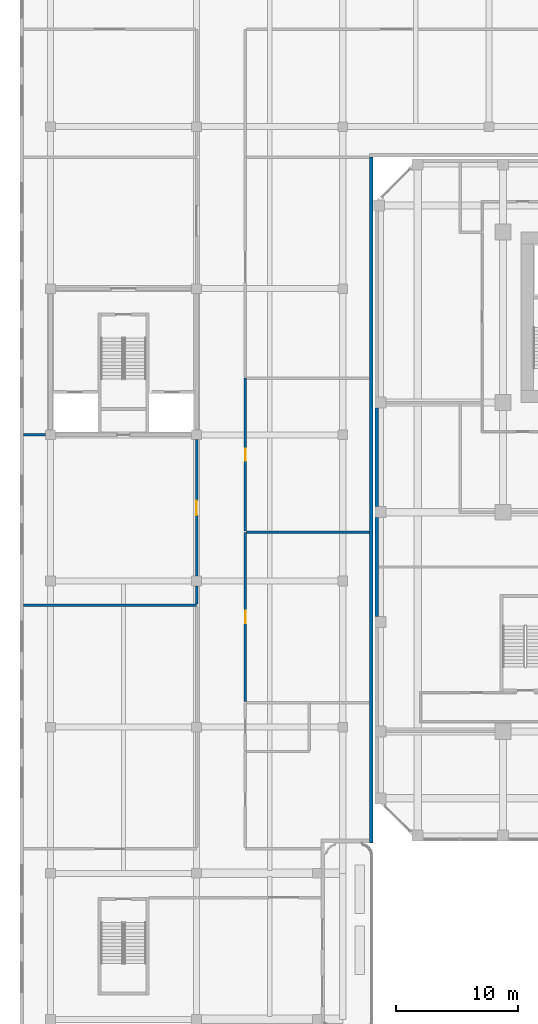
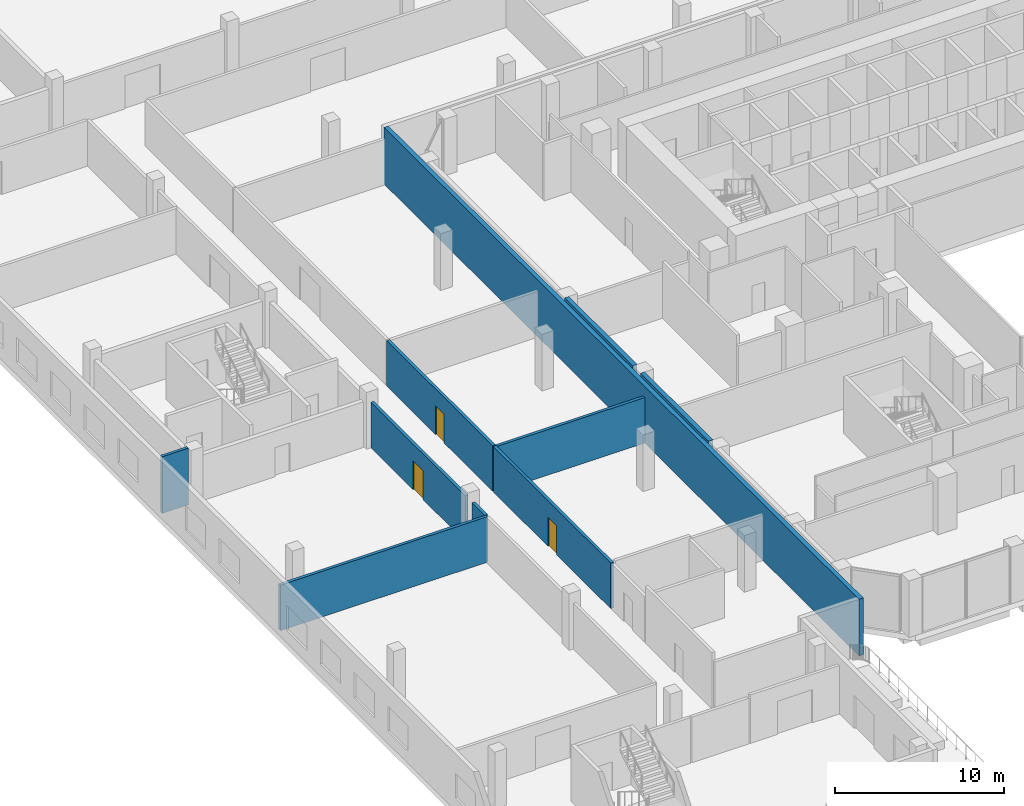
# One storey, part 15 of 35: 10 walls, 3 doors, 3 openings.
"""IFC4 building model written with IfcOpenShell, lengths in metres."""

from ifc_helpers import new_model, si_unit, direction, frame, frame_2d, origin, place, context, subcontext, project, spatial, rectangle, extrude, source, transform, mapped, material, layer, layer_set, type_object, element, fill, save


model = new_model("IFC4")

# Units and contexts
model_context = context("Model", 3, precision=1e-05, world=origin(), true_north=direction((0.0, 1.0)))
body_context = subcontext(model_context, "Body", "Model", "MODEL_VIEW")
ifc_project = project(units=[si_unit("LENGTHUNIT", "METRE"), si_unit("AREAUNIT", "SQUARE_METRE"), si_unit("VOLUMEUNIT", "CUBIC_METRE"), si_unit("PLANEANGLEUNIT", "RADIAN"), si_unit("MASSUNIT", "GRAM", prefix="KILO")], contexts=[model_context])

# Site, building, storey
site_placement = place(None, origin())
site = spatial("IfcSite", under=ifc_project, at=site_placement, CompositionType="ELEMENT")
building_placement = place(site_placement, origin())
building = spatial("IfcBuilding", under=site, at=building_placement, Name="Kilnfold Tower and Market Hall", CompositionType="ELEMENT")
storey_placement = place(building_placement, frame((0.0, 0.0, 13.5)))
storey = spatial("IfcBuildingStorey", under=building, at=storey_placement, Name="L02", CompositionType="ELEMENT", Elevation=13.5)

# Walls
ifc_material_1 = material(Name="Precast concrete C50/60", Category="concrete")
ifc_layer_1 = layer(ifc_material_1, 0.300048828125)
ifc_layer_set_1 = layer_set([ifc_layer_1], Name="Precast concrete C50/60")
wall_type_1 = type_object("IfcWallType", Name="PRECAST WALL 300", PredefinedType="SOLIDWALL", material=ifc_layer_set_1)
shared_shape_1 = source(origin(), body_context, "Body", "SweptSolid", [
    extrude(rectangle(XDim=8.10009765625, YDim=0.300048828125, at=frame_2d((4.050048828125, 0.0))), origin(), (0.0, 0.0, 1.0), 4.10009765625),
])
for number, where, z_axis, x_axis, name in (
    (1, (-27.85009765625, 7.550048828125, 0.0), (0.0, 0.0, 1.0), (0.0, -1.0, 0.0), "Party wall L02 W"),
    (2, (-27.85009765625, -1.449951171875, 0.0), (0.0, 0.0, 1.0), (0.0, -1.0, 0.0), "Party wall L02 W"),
):
    element("IfcWall", number, at=place(storey_placement, frame(where, z_axis=z_axis, x_axis=x_axis)), inside=storey, type_object=wall_type_1, Name=name, PredefinedType="SOLIDWALL", context=body_context, shape_type="MappedRepresentation", body=[
        mapped(shared_shape_1, transform((0.0, 0.0, 0.0))),
    ])
ifc_material_2 = material(Name="Concrete blockwork", Category="masonry")
ifc_layer_2 = layer(ifc_material_2, 0.300048828125)
ifc_layer_set_2 = layer_set([ifc_layer_2], Name="Concrete blockwork")
wall_type_2 = type_object("IfcWallType", Name="HALL EXTERNAL WALL 300 EI 120", PredefinedType="SOLIDWALL", material=ifc_layer_set_2)
shared_shape_2 = source(origin(), body_context, "Body", "SweptSolid", [
    extrude(rectangle(XDim=56.2998046875, YDim=0.300048828125, at=frame_2d((28.14990234375, 0.0))), origin(), (0.0, 0.0, 1.0), 4.10009765625),
])
wall_1_placement = place(storey_placement, frame((-28.300048828125, 28.14990234375, 0.0), z_axis=(0.0, 0.0, 1.0), x_axis=(0.0, -1.0, 0.0)))
element("IfcWall", 3, at=wall_1_placement, inside=storey, type_object=wall_type_2, Name="Joint wall MEW-L02.7", PredefinedType="SOLIDWALL", context=body_context, shape_type="MappedRepresentation", body=[
    mapped(shared_shape_2, transform((0.0, 0.0, 0.0))),
])
ifc_material_3 = material(Name="Concrete blockwork", Category="masonry")
ifc_layer_3 = layer(ifc_material_3, 0.199951171875)
ifc_layer_set_3 = layer_set([ifc_layer_3], Name="Concrete blockwork")
wall_type_3 = type_object("IfcWallType", Name="HALL PARTITION 200 EI 120", PredefinedType="PARTITIONING", material=ifc_layer_set_3)
shared_shape_3 = source(origin(), body_context, "Body", "SweptSolid", [
    extrude(rectangle(XDim=1.800048828125, YDim=0.199951171875, at=frame_2d((0.89990234375, 0.0))), origin(), (0.0, 0.0, 1.0), 4.10009765625),
])
wall_2_placement = place(storey_placement, frame((-56.85009765625, 5.35009765625, 0.0), z_axis=(0.0, 0.0, 1.0), x_axis=(1.0, 0.0, 0.0)))
element("IfcWall", 4, at=wall_2_placement, inside=storey, type_object=wall_type_3, Name="Partition W-MH-L02.3", PredefinedType="PARTITIONING", context=body_context, shape_type="MappedRepresentation", body=[
    mapped(shared_shape_3, transform((0.0, 0.0, 0.0))),
])
shared_shape_4 = source(origin(), body_context, "Body", "SweptSolid", [
    extrude(rectangle(XDim=14.2001953125, YDim=0.199951171875, at=frame_2d((7.10009765625, 0.0))), origin(), (0.0, 0.0, 1.0), 3.300048828125),
])
wall_3_placement = place(storey_placement, frame((-56.85009765625, -8.64990234375, 0.0), z_axis=(0.0, 0.0, 1.0), x_axis=(1.0, 0.0, 0.0)))
element("IfcWall", 5, at=wall_3_placement, inside=storey, type_object=wall_type_3, Name="Partition W-MH-L02.2", PredefinedType="PARTITIONING", context=body_context, shape_type="MappedRepresentation", body=[
    mapped(shared_shape_4, transform((0.0, 0.0, 0.0))),
])
shared_shape_5 = source(origin(), body_context, "Body", "SweptSolid", [
    extrude(rectangle(XDim=1.5, YDim=0.199951171875, at=frame_2d((0.75, 0.0))), origin(), (0.0, 0.0, 1.0), 3.300048828125),
])
wall_4_placement = place(storey_placement, frame((-42.64990234375, -8.550048828125, 0.0), z_axis=(0.0, 0.0, 1.0), x_axis=(0.0, 1.0, 0.0)))
element("IfcWall", 6, at=wall_4_placement, inside=storey, type_object=wall_type_3, Name="Partition W-MH-L02.9", PredefinedType="PARTITIONING", context=body_context, shape_type="MappedRepresentation", body=[
    mapped(shared_shape_5, transform((0.0, 0.0, 0.0))),
])

# Wall, opening, door
shared_shape_6 = source(origin(), body_context, "Body", "SweptSolid", [
    extrude(rectangle(XDim=11.199951171875, YDim=0.199951171875, at=frame_2d((5.60009765625, 0.0))), origin(), (0.0, 0.0, 1.0), 3.300048828125),
])
wall_5_placement = place(storey_placement, frame((-42.64990234375, -6.25, 0.0), z_axis=(0.0, 0.0, 1.0), x_axis=(0.0, 1.0, 0.0)))
wall_5 = element("IfcWall", 7, at=wall_5_placement, inside=storey, type_object=wall_type_3, Name="Partition W-MH-L02.10", PredefinedType="PARTITIONING", context=body_context, shape_type="MappedRepresentation", body=[
    mapped(shared_shape_6, transform((0.0, 0.0, 0.0))),
])
opening_1_placement = place(wall_5_placement, frame((5.0, 0.0, 0.0)))
opening_1 = element("IfcOpeningElement", 8, at=opening_1_placement, cuts=wall_5, Name="Opening MD3-120", PredefinedType="OPENING", context=body_context, shape_type="SweptSolid", body=[
    extrude(rectangle(XDim=1.199951171875, YDim=2.10009765625, at=frame_2d((0.60009765625, 1.050048828125))), frame((0.0, 0.10986328125, 0.0), z_axis=(0.0, -1.0, 0.0), x_axis=(1.0, 0.0, 0.0)), (0.0, 0.0, 1.0), 0.219970703125),
])
ifc_material_4 = material(Name="Steel S355", Category="steel")
door_type_1 = type_object("IfcDoorType", Name="HALL DOOR SERVICE 1200X2100 FD120", OperationType="NOTDEFINED", PredefinedType="DOOR", material=ifc_material_4)
door_1_placement = place(opening_1_placement, origin())
door_1 = element("IfcDoor", 9, at=door_1_placement, inside=storey, type_object=door_type_1, Name="Door MD3-120", OperationType="SINGLE_SWING_LEFT", OverallHeight=2.10009765625, OverallWidth=1.199951171875, PredefinedType="DOOR", context=body_context, shape_type="SweptSolid", body=[
    extrude(rectangle(XDim=1.199951171875, YDim=2.10009765625, at=frame_2d((0.60009765625, 1.050048828125))), frame((0.0, 0.02490234375, 0.0), z_axis=(0.0, -1.0, 0.0), x_axis=(1.0, 0.0, 0.0)), (0.0, 0.0, 1.0), 0.050048828125),
])
fill(opening_1, door_1)

ifc_material_5 = material(Name="Concrete blockwork", Category="masonry")
ifc_layer_4 = layer(ifc_material_5, 0.199951171875)
ifc_layer_set_4 = layer_set([ifc_layer_4], Name="Concrete blockwork")
wall_type_4 = type_object("IfcWallType", Name="HALL PARTITION 200 EI 60", PredefinedType="PARTITIONING", material=ifc_layer_set_4)
shared_shape_7 = source(origin(), body_context, "Body", "SweptSolid", [
    extrude(rectangle(XDim=13.900146484375, YDim=0.199951171875, at=frame_2d((6.9501953125, 0.0))), origin(), (0.0, 0.0, 1.0), 3.300048828125),
])
wall_6_placement = place(storey_placement, frame((-38.64990234375, -2.64990234375, 0.0), z_axis=(0.0, 0.0, 1.0), x_axis=(0.0, -1.0, 0.0)))
wall_6 = element("IfcWall", 10, at=wall_6_placement, inside=storey, type_object=wall_type_4, Name="Partition W-MH-L02.22", PredefinedType="PARTITIONING", context=body_context, shape_type="MappedRepresentation", body=[
    mapped(shared_shape_7, transform((0.0, 0.0, 0.0))),
])
opening_2_placement = place(wall_6_placement, frame((6.449951171875, 0.0, 0.0)))
opening_2 = element("IfcOpeningElement", 11, at=opening_2_placement, cuts=wall_6, Name="Opening MD5-60", PredefinedType="OPENING", context=body_context, shape_type="SweptSolid", body=[
    extrude(rectangle(XDim=1.0, YDim=2.10009765625, at=frame_2d((0.5, 1.050048828125))), frame((0.0, 0.10986328125, 0.0), z_axis=(0.0, -1.0, 0.0), x_axis=(1.0, 0.0, 0.0)), (0.0, 0.0, 1.0), 0.219970703125),
])
ifc_material_6 = material(Name="Timber", Category="wood")
door_type_2 = type_object("IfcDoorType", Name="HALL DOOR OFFICE 1000X2100 FD60", OperationType="NOTDEFINED", PredefinedType="DOOR", material=ifc_material_6)
door_2_placement = place(opening_2_placement, origin())
door_2 = element("IfcDoor", 12, at=door_2_placement, inside=storey, type_object=door_type_2, Name="Door MD5-60", OperationType="SINGLE_SWING_RIGHT", OverallHeight=2.10009765625, OverallWidth=1.0, PredefinedType="DOOR", context=body_context, shape_type="SweptSolid", body=[
    extrude(rectangle(XDim=1.0, YDim=2.10009765625, at=frame_2d((0.5, 1.050048828125))), frame((0.0, 0.02490234375, 0.0), z_axis=(0.0, -1.0, 0.0), x_axis=(1.0, 0.0, 0.0)), (0.0, 0.0, 1.0), 0.050048828125),
])
fill(opening_2, door_2)

# Wall
shared_shape_8 = source(origin(), body_context, "Body", "SweptSolid", [
    extrude(rectangle(XDim=10.10009765625, YDim=0.199951171875, at=frame_2d((5.050048828125, 0.0))), origin(), (0.0, 0.0, 1.0), 3.300048828125),
])
wall_7_placement = place(storey_placement, frame((-38.550048828125, -2.64990234375, 0.0), z_axis=(0.0, 0.0, 1.0), x_axis=(1.0, 0.0, 0.0)))
element("IfcWall", 13, at=wall_7_placement, inside=storey, type_object=wall_type_4, Name="Partition W-MH-L02.23", PredefinedType="PARTITIONING", context=body_context, shape_type="MappedRepresentation", body=[
    mapped(shared_shape_8, transform((0.0, 0.0, 0.0))),
])

# Wall, opening, door
shared_shape_9 = source(origin(), body_context, "Body", "SweptSolid", [
    extrude(rectangle(XDim=12.550048828125, YDim=0.199951171875, at=frame_2d((6.27490234375, 0.0))), origin(), (0.0, 0.0, 1.0), 3.300048828125),
])
wall_8_placement = place(storey_placement, frame((-38.64990234375, 10.0, 0.0), z_axis=(0.0, 0.0, 1.0), x_axis=(0.0, -1.0, 0.0)))
wall_8 = element("IfcWall", 14, at=wall_8_placement, inside=storey, type_object=wall_type_4, Name="Partition W-MH-L02.24", PredefinedType="PARTITIONING", context=body_context, shape_type="MappedRepresentation", body=[
    mapped(shared_shape_9, transform((0.0, 0.0, 0.0))),
])
opening_3_placement = place(wall_8_placement, frame((5.77490234375, 0.0, 0.0)))
opening_3 = element("IfcOpeningElement", 15, at=opening_3_placement, cuts=wall_8, Name="Opening MD5-60", PredefinedType="OPENING", context=body_context, shape_type="SweptSolid", body=[
    extrude(rectangle(XDim=1.0, YDim=2.10009765625, at=frame_2d((0.5, 1.050048828125))), frame((0.0, 0.10986328125, 0.0), z_axis=(0.0, -1.0, 0.0), x_axis=(1.0, 0.0, 0.0)), (0.0, 0.0, 1.0), 0.219970703125),
])
door_3_placement = place(opening_3_placement, origin())
door_3 = element("IfcDoor", 16, at=door_3_placement, inside=storey, type_object=door_type_2, Name="Door MD5-60", OperationType="SINGLE_SWING_LEFT", OverallHeight=2.10009765625, OverallWidth=1.0, PredefinedType="DOOR", context=body_context, shape_type="SweptSolid", body=[
    extrude(rectangle(XDim=1.0, YDim=2.10009765625, at=frame_2d((0.5, 1.050048828125))), frame((0.0, 0.02490234375, 0.0), z_axis=(0.0, -1.0, 0.0), x_axis=(1.0, 0.0, 0.0)), (0.0, 0.0, 1.0), 0.050048828125),
])
fill(opening_3, door_3)

save(model, "model.ifc")
